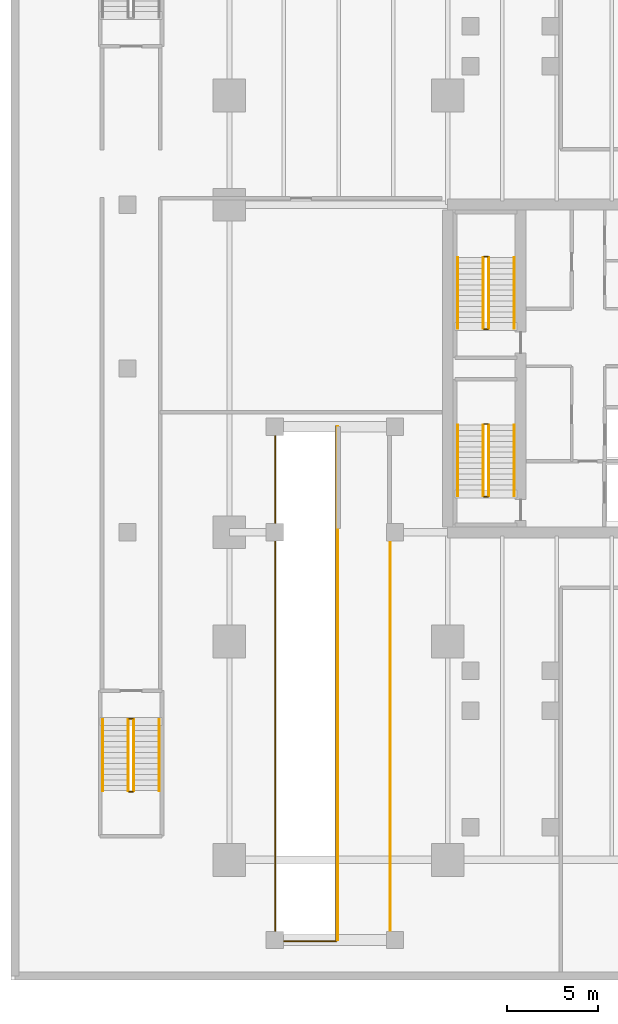
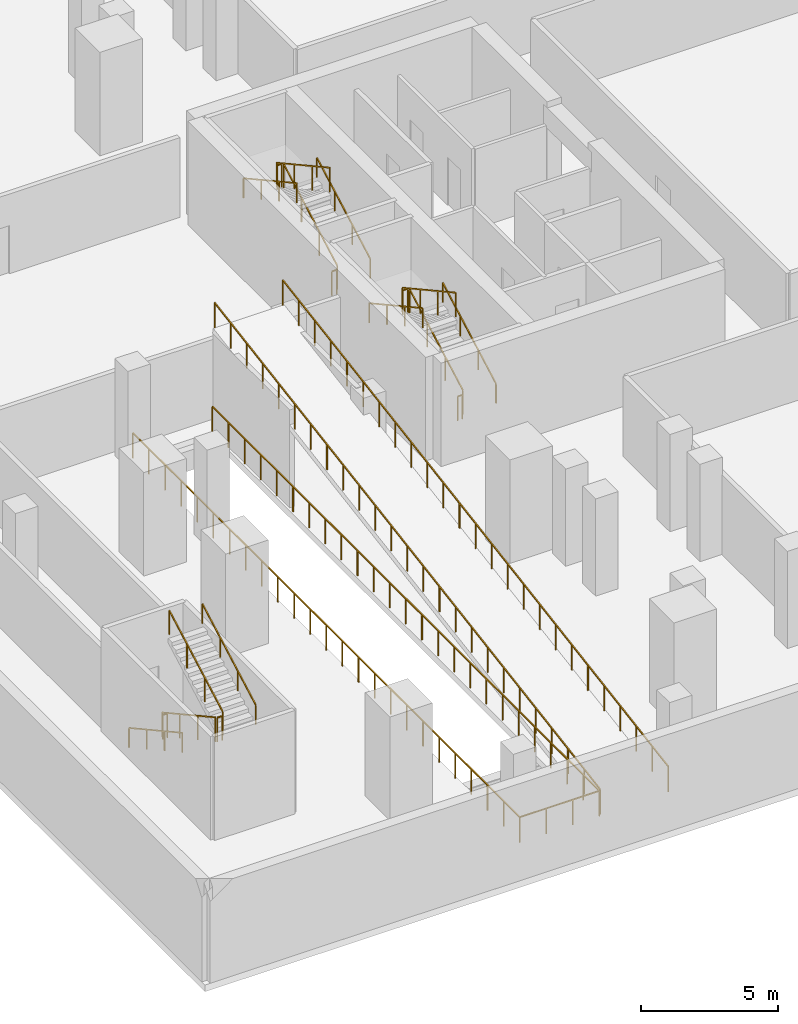
# One storey, part 10 of 13: 21 railings.
"""IFC4 building model written with IfcOpenShell, lengths in metres."""

from ifc_helpers import new_model, si_unit, direction, frame, origin, place, context, subcontext, project, spatial, rectangle, extrude, material, type_object, element, save


model = new_model("IFC4")

# Units and contexts
model_context = context("Model", 3, precision=1e-05, world=origin(), true_north=direction((0.0, 1.0)))
body_context = subcontext(model_context, "Body", "Model", "MODEL_VIEW")
ifc_project = project(units=[si_unit("LENGTHUNIT", "METRE"), si_unit("AREAUNIT", "SQUARE_METRE"), si_unit("VOLUMEUNIT", "CUBIC_METRE"), si_unit("PLANEANGLEUNIT", "RADIAN"), si_unit("MASSUNIT", "GRAM", prefix="KILO")], contexts=[model_context])

# Site, building, storey
site_placement = place(None, origin())
site = spatial("IfcSite", under=ifc_project, at=site_placement, CompositionType="ELEMENT")
building_placement = place(site_placement, origin())
building = spatial("IfcBuilding", under=site, at=building_placement, Name="Tanjung Sevakor Pilgrim Tower", CompositionType="ELEMENT")
storey_placement = place(building_placement, frame((0.0, 0.0, -4.6201171875)))
storey = spatial("IfcBuildingStorey", under=building, at=storey_placement, Name="B01", CompositionType="ELEMENT", Elevation=-4.6201171875)

# Railings
ifc_material_1 = material(Name="Steel S355J2", Category="steel")
railing_type_1 = type_object("IfcRailingType", Name="RL-STAIR-GUARD", PredefinedType="GUARDRAIL", material=ifc_material_1)
railing_1_placement = place(storey_placement, frame((26.25, 26.60009765625, 0.1650390625)))
element("IfcRailing", 1, at=railing_1_placement, inside=storey, type_object=railing_type_1, Name="B01 TS-W1 stair guard 1", PredefinedType="GUARDRAIL", context=body_context, shape_type="SweptSolid", body=[
    extrude(rectangle(XDim=0.0479, YDim=0.0479), frame((0.0, 0.0, 1.076171875), z_axis=(0.0, 0.876208959939, 0.481931383625), x_axis=(-1.0, 0.0, 0.0)), (0.0, 0.0, 1.0), 4.450927734375),
    extrude(rectangle(XDim=0.042, YDim=0.042), origin(), (0.0, 0.0, 1.0), 1.052001953125),
    extrude(rectangle(XDim=0.042, YDim=0.042), frame((0.0, 1.300048828125, 0.715087890625)), (0.0, 0.0, 1.0), 1.052001953125),
    extrude(rectangle(XDim=0.042, YDim=0.042), frame((0.0, 2.599853515625, 1.429931640625)), (0.0, 0.0, 1.0), 1.052001953125),
    extrude(rectangle(XDim=0.042, YDim=0.042), frame((0.0, 3.89990234375, 2.14501953125)), (0.0, 0.0, 1.0), 1.052001953125),
])
railing_2_placement = place(storey_placement, frame((26.199951171875, 30.550048828125, 2.31005859375)))
element("IfcRailing", 2, at=railing_2_placement, inside=storey, type_object=railing_type_1, Name="B01 TS-W1 stair guard 2", PredefinedType="GUARDRAIL", context=body_context, shape_type="SweptSolid", body=[
    extrude(rectangle(XDim=0.0479, YDim=0.0479), frame((0.0, 0.0, 1.076171875), z_axis=(-1.0, 0.0, 0.0), x_axis=(0.0, -1.0, 0.0)), (0.0, 0.0, 1.0), 0.199951171875),
    extrude(rectangle(XDim=0.042, YDim=0.042), origin(), (0.0, 0.0, 1.0), 1.052001953125),
    extrude(rectangle(XDim=0.042, YDim=0.042), frame((-0.199951171875, 0.0, 0.0)), (0.0, 0.0, 1.0), 1.052001953125),
])
railing_3_placement = place(storey_placement, frame((25.949951171875, 30.5, 2.47509765625)))
element("IfcRailing", 3, at=railing_3_placement, inside=storey, type_object=railing_type_1, Name="B01 TS-W1 stair guard 3", PredefinedType="GUARDRAIL", context=body_context, shape_type="SweptSolid", body=[
    extrude(rectangle(XDim=0.0479, YDim=0.0479), frame((0.0, 0.0, 1.076171875), z_axis=(0.0, -0.876208959939, 0.481931383625), x_axis=(1.0, 0.0, 0.0)), (0.0, 0.0, 1.0), 4.450927734375),
    extrude(rectangle(XDim=0.042, YDim=0.042), origin(), (0.0, 0.0, 1.0), 1.052001953125),
    extrude(rectangle(XDim=0.042, YDim=0.042), frame((0.0, -1.300048828125, 0.715087890625)), (0.0, 0.0, 1.0), 1.052001953125),
    extrude(rectangle(XDim=0.042, YDim=0.042), frame((0.0, -2.599853515625, 1.429931640625)), (0.0, 0.0, 1.0), 1.052001953125),
    extrude(rectangle(XDim=0.042, YDim=0.042), frame((0.0, -3.89990234375, 2.14501953125)), (0.0, 0.0, 1.0), 1.052001953125),
])
railing_4_placement = place(storey_placement, frame((26.199951171875, 26.550048828125, 0.0)))
element("IfcRailing", 4, at=railing_4_placement, inside=storey, type_object=railing_type_1, Name="B01 TS-W1 stair guard 4", PredefinedType="GUARDRAIL", context=body_context, shape_type="SweptSolid", body=[
    extrude(rectangle(XDim=0.0479, YDim=0.0479), frame((0.0, 0.0, 1.076171875), z_axis=(-1.0, 0.0, 0.0), x_axis=(0.0, -1.0, 0.0)), (0.0, 0.0, 1.0), 0.199951171875),
    extrude(rectangle(XDim=0.042, YDim=0.042), origin(), (0.0, 0.0, 1.0), 1.052001953125),
    extrude(rectangle(XDim=0.042, YDim=0.042), frame((-0.199951171875, 0.0, 0.0)), (0.0, 0.0, 1.0), 1.052001953125),
])
railing_5_placement = place(storey_placement, frame((26.25, 35.800048828125, 0.1650390625)))
element("IfcRailing", 5, at=railing_5_placement, inside=storey, type_object=railing_type_1, Name="B01 TS-W2 stair guard 1", PredefinedType="GUARDRAIL", context=body_context, shape_type="SweptSolid", body=[
    extrude(rectangle(XDim=0.0479, YDim=0.0479), frame((0.0, 0.0, 1.076171875), z_axis=(0.0, 0.876208959939, 0.481931383625), x_axis=(-1.0, 0.0, 0.0)), (0.0, 0.0, 1.0), 4.450927734375),
    extrude(rectangle(XDim=0.042, YDim=0.042), origin(), (0.0, 0.0, 1.0), 1.052001953125),
    extrude(rectangle(XDim=0.042, YDim=0.042), frame((0.0, 1.300048828125, 0.715087890625)), (0.0, 0.0, 1.0), 1.052001953125),
    extrude(rectangle(XDim=0.042, YDim=0.042), frame((0.0, 2.599853515625, 1.429931640625)), (0.0, 0.0, 1.0), 1.052001953125),
    extrude(rectangle(XDim=0.042, YDim=0.042), frame((0.0, 3.89990234375, 2.14501953125)), (0.0, 0.0, 1.0), 1.052001953125),
])
railing_6_placement = place(storey_placement, frame((26.199951171875, 39.75, 2.31005859375)))
element("IfcRailing", 6, at=railing_6_placement, inside=storey, type_object=railing_type_1, Name="B01 TS-W2 stair guard 2", PredefinedType="GUARDRAIL", context=body_context, shape_type="SweptSolid", body=[
    extrude(rectangle(XDim=0.0479, YDim=0.0479), frame((0.0, 0.0, 1.076171875), z_axis=(-1.0, 0.0, 0.0), x_axis=(0.0, -1.0, 0.0)), (0.0, 0.0, 1.0), 0.199951171875),
    extrude(rectangle(XDim=0.042, YDim=0.042), origin(), (0.0, 0.0, 1.0), 1.052001953125),
    extrude(rectangle(XDim=0.042, YDim=0.042), frame((-0.199951171875, 0.0, 0.0)), (0.0, 0.0, 1.0), 1.052001953125),
])
railing_7_placement = place(storey_placement, frame((25.949951171875, 39.699951171875, 2.47509765625)))
element("IfcRailing", 7, at=railing_7_placement, inside=storey, type_object=railing_type_1, Name="B01 TS-W2 stair guard 3", PredefinedType="GUARDRAIL", context=body_context, shape_type="SweptSolid", body=[
    extrude(rectangle(XDim=0.0479, YDim=0.0479), frame((0.0, 0.0, 1.076171875), z_axis=(0.0, -0.876208959939, 0.481931383625), x_axis=(1.0, 0.0, 0.0)), (0.0, 0.0, 1.0), 4.450927734375),
    extrude(rectangle(XDim=0.042, YDim=0.042), origin(), (0.0, 0.0, 1.0), 1.052001953125),
    extrude(rectangle(XDim=0.042, YDim=0.042), frame((0.0, -1.300048828125, 0.715087890625)), (0.0, 0.0, 1.0), 1.052001953125),
    extrude(rectangle(XDim=0.042, YDim=0.042), frame((0.0, -2.599853515625, 1.429931640625)), (0.0, 0.0, 1.0), 1.052001953125),
    extrude(rectangle(XDim=0.042, YDim=0.042), frame((0.0, -3.89990234375, 2.14501953125)), (0.0, 0.0, 1.0), 1.052001953125),
])
railing_8_placement = place(storey_placement, frame((26.199951171875, 35.75, 0.0)))
element("IfcRailing", 8, at=railing_8_placement, inside=storey, type_object=railing_type_1, Name="B01 TS-W2 stair guard 4", PredefinedType="GUARDRAIL", context=body_context, shape_type="SweptSolid", body=[
    extrude(rectangle(XDim=0.0479, YDim=0.0479), frame((0.0, 0.0, 1.076171875), z_axis=(-1.0, 0.0, 0.0), x_axis=(0.0, -1.0, 0.0)), (0.0, 0.0, 1.0), 0.199951171875),
    extrude(rectangle(XDim=0.042, YDim=0.042), origin(), (0.0, 0.0, 1.0), 1.052001953125),
    extrude(rectangle(XDim=0.042, YDim=0.042), frame((-0.199951171875, 0.0, 0.0)), (0.0, 0.0, 1.0), 1.052001953125),
])
railing_9_placement = place(storey_placement, frame((6.449951171875, 14.300048828125, 0.1650390625)))
element("IfcRailing", 9, at=railing_9_placement, inside=storey, type_object=railing_type_1, Name="B01 BS-1 stair guard 1", PredefinedType="GUARDRAIL", context=body_context, shape_type="SweptSolid", body=[
    extrude(rectangle(XDim=0.0479, YDim=0.0479), frame((0.0, 0.0, 1.076171875), z_axis=(0.0, -0.876221698874, 0.481908221991), x_axis=(1.0, 0.0, 0.0)), (0.0, 0.0, 1.0), 4.451171875),
    extrude(rectangle(XDim=0.042, YDim=0.042), origin(), (0.0, 0.0, 1.0), 1.052001953125),
    extrude(rectangle(XDim=0.042, YDim=0.042), frame((0.0, -1.300048828125, 0.715087890625)), (0.0, 0.0, 1.0), 1.052001953125),
    extrude(rectangle(XDim=0.042, YDim=0.042), frame((0.0, -2.60009765625, 1.429931640625)), (0.0, 0.0, 1.0), 1.052001953125),
    extrude(rectangle(XDim=0.042, YDim=0.042), frame((0.0, -3.900146484375, 2.14501953125)), (0.0, 0.0, 1.0), 1.052001953125),
])
railing_10_placement = place(storey_placement, frame((6.5, 10.35009765625, 2.31005859375)))
element("IfcRailing", 10, at=railing_10_placement, inside=storey, type_object=railing_type_1, Name="B01 BS-1 stair guard 2", PredefinedType="GUARDRAIL", context=body_context, shape_type="SweptSolid", body=[
    extrude(rectangle(XDim=0.0479, YDim=0.0479), frame((0.0, 0.0, 1.076171875), z_axis=(1.0, 0.0, 0.0), x_axis=(0.0, 1.0, 0.0)), (0.0, 0.0, 1.0), 0.199951171875),
    extrude(rectangle(XDim=0.042, YDim=0.042), origin(), (0.0, 0.0, 1.0), 1.052001953125),
    extrude(rectangle(XDim=0.042, YDim=0.042), frame((0.199951171875, 0.0, 0.0)), (0.0, 0.0, 1.0), 1.052001953125),
])
railing_11_placement = place(storey_placement, frame((6.75, 10.39990234375, 2.47509765625)))
element("IfcRailing", 11, at=railing_11_placement, inside=storey, type_object=railing_type_1, Name="B01 BS-1 stair guard 3", PredefinedType="GUARDRAIL", context=body_context, shape_type="SweptSolid", body=[
    extrude(rectangle(XDim=0.0479, YDim=0.0479), frame((0.0, 0.0, 1.076171875), z_axis=(0.0, 0.876221698874, 0.481908221991), x_axis=(-1.0, 0.0, 0.0)), (0.0, 0.0, 1.0), 4.451171875),
    extrude(rectangle(XDim=0.042, YDim=0.042), origin(), (0.0, 0.0, 1.0), 1.052001953125),
    extrude(rectangle(XDim=0.042, YDim=0.042), frame((0.0, 1.300048828125, 0.715087890625)), (0.0, 0.0, 1.0), 1.052001953125),
    extrude(rectangle(XDim=0.042, YDim=0.042), frame((0.0, 2.60009765625, 1.429931640625)), (0.0, 0.0, 1.0), 1.052001953125),
    extrude(rectangle(XDim=0.042, YDim=0.042), frame((0.0, 3.900146484375, 2.14501953125)), (0.0, 0.0, 1.0), 1.052001953125),
])
railing_12_placement = place(storey_placement, frame((6.5, 14.35009765625, 0.0)))
element("IfcRailing", 12, at=railing_12_placement, inside=storey, type_object=railing_type_1, Name="B01 BS-1 stair guard 4", PredefinedType="GUARDRAIL", context=body_context, shape_type="SweptSolid", body=[
    extrude(rectangle(XDim=0.0479, YDim=0.0479), frame((0.0, 0.0, 1.076171875), z_axis=(1.0, 0.0, 0.0), x_axis=(0.0, 1.0, 0.0)), (0.0, 0.0, 1.0), 0.199951171875),
    extrude(rectangle(XDim=0.042, YDim=0.042), origin(), (0.0, 0.0, 1.0), 1.052001953125),
    extrude(rectangle(XDim=0.042, YDim=0.042), frame((0.199951171875, 0.0, 0.0)), (0.0, 0.0, 1.0), 1.052001953125),
])
railing_13_placement = place(storey_placement, frame((14.52001953125, 30.419921875, 0.0)))
element("IfcRailing", 13, at=railing_13_placement, inside=storey, type_object=railing_type_1, Name="B01 Vehicle Ramp Opening Guardrail", PredefinedType="GUARDRAIL", context=body_context, shape_type="SweptSolid", body=[
    extrude(rectangle(XDim=0.0479, YDim=0.0479), frame((0.0, 0.0, 1.1259765625), z_axis=(0.0, -1.0, 0.0), x_axis=(1.0, 0.0, 0.0)), (0.0, 0.0, 1.0), 28.2998046875),
    extrude(rectangle(XDim=0.0479, YDim=0.0479), frame((0.0, -28.2998046875, 1.1259765625), z_axis=(1.0, 0.0, 0.0), x_axis=(0.0, 1.0, 0.0)), (0.0, 0.0, 1.0), 3.35986328125),
    extrude(rectangle(XDim=0.0479, YDim=0.0479), frame((3.35986328125, -28.2998046875, 1.1259765625), z_axis=(0.0, 1.0, 0.0), x_axis=(-1.0, 0.0, 0.0)), (0.0, 0.0, 1.0), 28.2998046875),
    extrude(rectangle(XDim=0.042, YDim=0.042), origin(), (0.0, 0.0, 1.0), 1.101806640625),
    extrude(rectangle(XDim=0.042, YDim=0.042), frame((0.0, -1.17919921875, 0.0)), (0.0, 0.0, 1.0), 1.101806640625),
    extrude(rectangle(XDim=0.042, YDim=0.042), frame((0.0, -2.3583984375, 0.0)), (0.0, 0.0, 1.0), 1.101806640625),
    extrude(rectangle(XDim=0.042, YDim=0.042), frame((0.0, -3.53759765625, 0.0)), (0.0, 0.0, 1.0), 1.101806640625),
    extrude(rectangle(XDim=0.042, YDim=0.042), frame((0.0, -4.716552734375, 0.0)), (0.0, 0.0, 1.0), 1.101806640625),
    extrude(rectangle(XDim=0.042, YDim=0.042), frame((0.0, -5.895751953125, 0.0)), (0.0, 0.0, 1.0), 1.101806640625),
    extrude(rectangle(XDim=0.042, YDim=0.042), frame((0.0, -7.074951171875, 0.0)), (0.0, 0.0, 1.0), 1.101806640625),
    extrude(rectangle(XDim=0.042, YDim=0.042), frame((0.0, -8.254150390625, 0.0)), (0.0, 0.0, 1.0), 1.101806640625),
    extrude(rectangle(XDim=0.042, YDim=0.042), frame((0.0, -9.433349609375, 0.0)), (0.0, 0.0, 1.0), 1.101806640625),
    extrude(rectangle(XDim=0.042, YDim=0.042), frame((0.0, -10.6123046875, 0.0)), (0.0, 0.0, 1.0), 1.101806640625),
    extrude(rectangle(XDim=0.042, YDim=0.042), frame((0.0, -11.79150390625, 0.0)), (0.0, 0.0, 1.0), 1.101806640625),
    extrude(rectangle(XDim=0.042, YDim=0.042), frame((0.0, -12.970703125, 0.0)), (0.0, 0.0, 1.0), 1.101806640625),
    extrude(rectangle(XDim=0.042, YDim=0.042), frame((0.0, -14.14990234375, 0.0)), (0.0, 0.0, 1.0), 1.101806640625),
    extrude(rectangle(XDim=0.042, YDim=0.042), frame((0.0, -15.3291015625, 0.0)), (0.0, 0.0, 1.0), 1.101806640625),
    extrude(rectangle(XDim=0.042, YDim=0.042), frame((0.0, -16.50830078125, 0.0)), (0.0, 0.0, 1.0), 1.101806640625),
    extrude(rectangle(XDim=0.042, YDim=0.042), frame((0.0, -17.6875, 0.0)), (0.0, 0.0, 1.0), 1.101806640625),
    extrude(rectangle(XDim=0.042, YDim=0.042), frame((0.0, -18.866455078125, 0.0)), (0.0, 0.0, 1.0), 1.101806640625),
    extrude(rectangle(XDim=0.042, YDim=0.042), frame((0.0, -20.045654296875, 0.0)), (0.0, 0.0, 1.0), 1.101806640625),
    extrude(rectangle(XDim=0.042, YDim=0.042), frame((0.0, -21.224853515625, 0.0)), (0.0, 0.0, 1.0), 1.101806640625),
    extrude(rectangle(XDim=0.042, YDim=0.042), frame((0.0, -22.404052734375, 0.0)), (0.0, 0.0, 1.0), 1.101806640625),
    extrude(rectangle(XDim=0.042, YDim=0.042), frame((0.0, -23.583251953125, 0.0)), (0.0, 0.0, 1.0), 1.101806640625),
    extrude(rectangle(XDim=0.042, YDim=0.042), frame((0.0, -24.76220703125, 0.0)), (0.0, 0.0, 1.0), 1.101806640625),
    extrude(rectangle(XDim=0.042, YDim=0.042), frame((0.0, -25.94140625, 0.0)), (0.0, 0.0, 1.0), 1.101806640625),
    extrude(rectangle(XDim=0.042, YDim=0.042), frame((0.0, -27.12060546875, 0.0)), (0.0, 0.0, 1.0), 1.101806640625),
    extrude(rectangle(XDim=0.042, YDim=0.042), frame((0.0, -28.2998046875, 0.0)), (0.0, 0.0, 1.0), 1.101806640625),
    extrude(rectangle(XDim=0.042, YDim=0.042), frame((1.119873046875, -28.2998046875, 0.0)), (0.0, 0.0, 1.0), 1.101806640625),
    extrude(rectangle(XDim=0.042, YDim=0.042), frame((2.239990234375, -28.2998046875, 0.0)), (0.0, 0.0, 1.0), 1.101806640625),
    extrude(rectangle(XDim=0.042, YDim=0.042), frame((3.35986328125, -28.2998046875, 0.0)), (0.0, 0.0, 1.0), 1.101806640625),
    extrude(rectangle(XDim=0.042, YDim=0.042), frame((3.35986328125, -27.12060546875, 0.0)), (0.0, 0.0, 1.0), 1.101806640625),
    extrude(rectangle(XDim=0.042, YDim=0.042), frame((3.35986328125, -25.94140625, 0.0)), (0.0, 0.0, 1.0), 1.101806640625),
    extrude(rectangle(XDim=0.042, YDim=0.042), frame((3.35986328125, -24.76220703125, 0.0)), (0.0, 0.0, 1.0), 1.101806640625),
    extrude(rectangle(XDim=0.042, YDim=0.042), frame((3.35986328125, -23.583251953125, 0.0)), (0.0, 0.0, 1.0), 1.101806640625),
    extrude(rectangle(XDim=0.042, YDim=0.042), frame((3.35986328125, -22.404052734375, 0.0)), (0.0, 0.0, 1.0), 1.101806640625),
    extrude(rectangle(XDim=0.042, YDim=0.042), frame((3.35986328125, -21.224853515625, 0.0)), (0.0, 0.0, 1.0), 1.101806640625),
    extrude(rectangle(XDim=0.042, YDim=0.042), frame((3.35986328125, -20.045654296875, 0.0)), (0.0, 0.0, 1.0), 1.101806640625),
    extrude(rectangle(XDim=0.042, YDim=0.042), frame((3.35986328125, -18.866455078125, 0.0)), (0.0, 0.0, 1.0), 1.101806640625),
    extrude(rectangle(XDim=0.042, YDim=0.042), frame((3.35986328125, -17.6875, 0.0)), (0.0, 0.0, 1.0), 1.101806640625),
    extrude(rectangle(XDim=0.042, YDim=0.042), frame((3.35986328125, -16.50830078125, 0.0)), (0.0, 0.0, 1.0), 1.101806640625),
    extrude(rectangle(XDim=0.042, YDim=0.042), frame((3.35986328125, -15.3291015625, 0.0)), (0.0, 0.0, 1.0), 1.101806640625),
    extrude(rectangle(XDim=0.042, YDim=0.042), frame((3.35986328125, -14.14990234375, 0.0)), (0.0, 0.0, 1.0), 1.101806640625),
    extrude(rectangle(XDim=0.042, YDim=0.042), frame((3.35986328125, -12.970703125, 0.0)), (0.0, 0.0, 1.0), 1.101806640625),
    extrude(rectangle(XDim=0.042, YDim=0.042), frame((3.35986328125, -11.79150390625, 0.0)), (0.0, 0.0, 1.0), 1.101806640625),
    extrude(rectangle(XDim=0.042, YDim=0.042), frame((3.35986328125, -10.6123046875, 0.0)), (0.0, 0.0, 1.0), 1.101806640625),
    extrude(rectangle(XDim=0.042, YDim=0.042), frame((3.35986328125, -9.433349609375, 0.0)), (0.0, 0.0, 1.0), 1.101806640625),
    extrude(rectangle(XDim=0.042, YDim=0.042), frame((3.35986328125, -8.254150390625, 0.0)), (0.0, 0.0, 1.0), 1.101806640625),
    extrude(rectangle(XDim=0.042, YDim=0.042), frame((3.35986328125, -7.074951171875, 0.0)), (0.0, 0.0, 1.0), 1.101806640625),
    extrude(rectangle(XDim=0.042, YDim=0.042), frame((3.35986328125, -5.895751953125, 0.0)), (0.0, 0.0, 1.0), 1.101806640625),
    extrude(rectangle(XDim=0.042, YDim=0.042), frame((3.35986328125, -4.716552734375, 0.0)), (0.0, 0.0, 1.0), 1.101806640625),
    extrude(rectangle(XDim=0.042, YDim=0.042), frame((3.35986328125, -3.53759765625, 0.0)), (0.0, 0.0, 1.0), 1.101806640625),
    extrude(rectangle(XDim=0.042, YDim=0.042), frame((3.35986328125, -2.3583984375, 0.0)), (0.0, 0.0, 1.0), 1.101806640625),
    extrude(rectangle(XDim=0.042, YDim=0.042), frame((3.35986328125, -1.17919921875, 0.0)), (0.0, 0.0, 1.0), 1.101806640625),
    extrude(rectangle(XDim=0.042, YDim=0.042), frame((3.35986328125, 0.0, 0.0)), (0.0, 0.0, 1.0), 1.101806640625),
])
railing_14_placement = place(storey_placement, frame((17.9599609375, 2.199951171875, 0.0)))
element("IfcRailing", 14, at=railing_14_placement, inside=storey, type_object=railing_type_1, Name="B01 Vehicle Ramp Side Guardrail W", PredefinedType="GUARDRAIL", context=body_context, shape_type="SweptSolid", body=[
    extrude(rectangle(XDim=0.0479, YDim=0.0479), frame((0.0, 0.0, 1.1259765625), z_axis=(0.0, 0.986843446245, 0.161678732689), x_axis=(-1.0, 0.0, 0.0)), (0.0, 0.0, 1.0), 28.575927734375),
    extrude(rectangle(XDim=0.042, YDim=0.042), origin(), (0.0, 0.0, 1.0), 1.101806640625),
    extrude(rectangle(XDim=0.042, YDim=0.042), frame((0.0, 1.175048828125, 0.1923828125)), (0.0, 0.0, 1.0), 1.101806640625),
    extrude(rectangle(XDim=0.042, YDim=0.042), frame((0.0, 2.35009765625, 0.385009765625)), (0.0, 0.0, 1.0), 1.101806640625),
    extrude(rectangle(XDim=0.042, YDim=0.042), frame((0.0, 3.52490234375, 0.57763671875)), (0.0, 0.0, 1.0), 1.101806640625),
    extrude(rectangle(XDim=0.042, YDim=0.042), frame((0.0, 4.699951171875, 0.77001953125)), (0.0, 0.0, 1.0), 1.101806640625),
    extrude(rectangle(XDim=0.042, YDim=0.042), frame((0.0, 5.875, 0.96240234375)), (0.0, 0.0, 1.0), 1.101806640625),
    extrude(rectangle(XDim=0.042, YDim=0.042), frame((0.0, 7.050048828125, 1.155029296875)), (0.0, 0.0, 1.0), 1.101806640625),
    extrude(rectangle(XDim=0.042, YDim=0.042), frame((0.0, 8.22509765625, 1.34765625)), (0.0, 0.0, 1.0), 1.101806640625),
    extrude(rectangle(XDim=0.042, YDim=0.042), frame((0.0, 9.39990234375, 1.5400390625)), (0.0, 0.0, 1.0), 1.101806640625),
    extrude(rectangle(XDim=0.042, YDim=0.042), frame((0.0, 10.574951171875, 1.732421875)), (0.0, 0.0, 1.0), 1.101806640625),
    extrude(rectangle(XDim=0.042, YDim=0.042), frame((0.0, 11.75, 1.925048828125)), (0.0, 0.0, 1.0), 1.101806640625),
    extrude(rectangle(XDim=0.042, YDim=0.042), frame((0.0, 12.925048828125, 2.11767578125)), (0.0, 0.0, 1.0), 1.101806640625),
    extrude(rectangle(XDim=0.042, YDim=0.042), frame((0.0, 14.10009765625, 2.31005859375)), (0.0, 0.0, 1.0), 1.101806640625),
    extrude(rectangle(XDim=0.042, YDim=0.042), frame((0.0, 15.27490234375, 2.50244140625)), (0.0, 0.0, 1.0), 1.101806640625),
    extrude(rectangle(XDim=0.042, YDim=0.042), frame((0.0, 16.449951171875, 2.695068359375)), (0.0, 0.0, 1.0), 1.101806640625),
    extrude(rectangle(XDim=0.042, YDim=0.042), frame((0.0, 17.625, 2.8876953125)), (0.0, 0.0, 1.0), 1.101806640625),
    extrude(rectangle(XDim=0.042, YDim=0.042), frame((0.0, 18.800048828125, 3.080078125)), (0.0, 0.0, 1.0), 1.101806640625),
    extrude(rectangle(XDim=0.042, YDim=0.042), frame((0.0, 19.974853515625, 3.2724609375)), (0.0, 0.0, 1.0), 1.101806640625),
    extrude(rectangle(XDim=0.042, YDim=0.042), frame((0.0, 21.14990234375, 3.465087890625)), (0.0, 0.0, 1.0), 1.101806640625),
    extrude(rectangle(XDim=0.042, YDim=0.042), frame((0.0, 22.324951171875, 3.65771484375)), (0.0, 0.0, 1.0), 1.101806640625),
    extrude(rectangle(XDim=0.042, YDim=0.042), frame((0.0, 23.5, 3.85009765625)), (0.0, 0.0, 1.0), 1.101806640625),
    extrude(rectangle(XDim=0.042, YDim=0.042), frame((0.0, 24.675048828125, 4.04248046875)), (0.0, 0.0, 1.0), 1.101806640625),
    extrude(rectangle(XDim=0.042, YDim=0.042), frame((0.0, 25.849853515625, 4.235107421875)), (0.0, 0.0, 1.0), 1.101806640625),
    extrude(rectangle(XDim=0.042, YDim=0.042), frame((0.0, 27.02490234375, 4.427734375)), (0.0, 0.0, 1.0), 1.101806640625),
    extrude(rectangle(XDim=0.042, YDim=0.042), frame((0.0, 28.199951171875, 4.6201171875)), (0.0, 0.0, 1.0), 1.101806640625),
])
railing_15_placement = place(storey_placement, frame((20.840087890625, 2.199951171875, 0.0)))
element("IfcRailing", 15, at=railing_15_placement, inside=storey, type_object=railing_type_1, Name="B01 Vehicle Ramp Side Guardrail E", PredefinedType="GUARDRAIL", context=body_context, shape_type="SweptSolid", body=[
    extrude(rectangle(XDim=0.0479, YDim=0.0479), frame((0.0, 0.0, 1.1259765625), z_axis=(0.0, 0.986843446245, 0.161678732689), x_axis=(-1.0, 0.0, 0.0)), (0.0, 0.0, 1.0), 28.575927734375),
    extrude(rectangle(XDim=0.042, YDim=0.042), origin(), (0.0, 0.0, 1.0), 1.101806640625),
    extrude(rectangle(XDim=0.042, YDim=0.042), frame((0.0, 1.175048828125, 0.1923828125)), (0.0, 0.0, 1.0), 1.101806640625),
    extrude(rectangle(XDim=0.042, YDim=0.042), frame((0.0, 2.35009765625, 0.385009765625)), (0.0, 0.0, 1.0), 1.101806640625),
    extrude(rectangle(XDim=0.042, YDim=0.042), frame((0.0, 3.52490234375, 0.57763671875)), (0.0, 0.0, 1.0), 1.101806640625),
    extrude(rectangle(XDim=0.042, YDim=0.042), frame((0.0, 4.699951171875, 0.77001953125)), (0.0, 0.0, 1.0), 1.101806640625),
    extrude(rectangle(XDim=0.042, YDim=0.042), frame((0.0, 5.875, 0.96240234375)), (0.0, 0.0, 1.0), 1.101806640625),
    extrude(rectangle(XDim=0.042, YDim=0.042), frame((0.0, 7.050048828125, 1.155029296875)), (0.0, 0.0, 1.0), 1.101806640625),
    extrude(rectangle(XDim=0.042, YDim=0.042), frame((0.0, 8.22509765625, 1.34765625)), (0.0, 0.0, 1.0), 1.101806640625),
    extrude(rectangle(XDim=0.042, YDim=0.042), frame((0.0, 9.39990234375, 1.5400390625)), (0.0, 0.0, 1.0), 1.101806640625),
    extrude(rectangle(XDim=0.042, YDim=0.042), frame((0.0, 10.574951171875, 1.732421875)), (0.0, 0.0, 1.0), 1.101806640625),
    extrude(rectangle(XDim=0.042, YDim=0.042), frame((0.0, 11.75, 1.925048828125)), (0.0, 0.0, 1.0), 1.101806640625),
    extrude(rectangle(XDim=0.042, YDim=0.042), frame((0.0, 12.925048828125, 2.11767578125)), (0.0, 0.0, 1.0), 1.101806640625),
    extrude(rectangle(XDim=0.042, YDim=0.042), frame((0.0, 14.10009765625, 2.31005859375)), (0.0, 0.0, 1.0), 1.101806640625),
    extrude(rectangle(XDim=0.042, YDim=0.042), frame((0.0, 15.27490234375, 2.50244140625)), (0.0, 0.0, 1.0), 1.101806640625),
    extrude(rectangle(XDim=0.042, YDim=0.042), frame((0.0, 16.449951171875, 2.695068359375)), (0.0, 0.0, 1.0), 1.101806640625),
    extrude(rectangle(XDim=0.042, YDim=0.042), frame((0.0, 17.625, 2.8876953125)), (0.0, 0.0, 1.0), 1.101806640625),
    extrude(rectangle(XDim=0.042, YDim=0.042), frame((0.0, 18.800048828125, 3.080078125)), (0.0, 0.0, 1.0), 1.101806640625),
    extrude(rectangle(XDim=0.042, YDim=0.042), frame((0.0, 19.974853515625, 3.2724609375)), (0.0, 0.0, 1.0), 1.101806640625),
    extrude(rectangle(XDim=0.042, YDim=0.042), frame((0.0, 21.14990234375, 3.465087890625)), (0.0, 0.0, 1.0), 1.101806640625),
    extrude(rectangle(XDim=0.042, YDim=0.042), frame((0.0, 22.324951171875, 3.65771484375)), (0.0, 0.0, 1.0), 1.101806640625),
    extrude(rectangle(XDim=0.042, YDim=0.042), frame((0.0, 23.5, 3.85009765625)), (0.0, 0.0, 1.0), 1.101806640625),
    extrude(rectangle(XDim=0.042, YDim=0.042), frame((0.0, 24.675048828125, 4.04248046875)), (0.0, 0.0, 1.0), 1.101806640625),
    extrude(rectangle(XDim=0.042, YDim=0.042), frame((0.0, 25.849853515625, 4.235107421875)), (0.0, 0.0, 1.0), 1.101806640625),
    extrude(rectangle(XDim=0.042, YDim=0.042), frame((0.0, 27.02490234375, 4.427734375)), (0.0, 0.0, 1.0), 1.101806640625),
    extrude(rectangle(XDim=0.042, YDim=0.042), frame((0.0, 28.199951171875, 4.6201171875)), (0.0, 0.0, 1.0), 1.101806640625),
])
ifc_material_2 = material(Name="Steel S355J2", Category="steel")
railing_type_2 = type_object("IfcRailingType", Name="RL-STAIR-HAND", PredefinedType="HANDRAIL", material=ifc_material_2)
railing_16_placement = place(storey_placement, frame((27.64990234375, 26.60009765625, 0.1650390625)))
element("IfcRailing", 16, at=railing_16_placement, inside=storey, type_object=railing_type_2, Name="B01 TS-W1 stair handrail 1", PredefinedType="HANDRAIL", context=body_context, shape_type="SweptSolid", body=[
    extrude(rectangle(XDim=0.0479, YDim=0.0479), frame((0.0, 0.0, 0.8759765625), z_axis=(0.0, 0.876208959939, 0.481931383625), x_axis=(-1.0, 0.0, 0.0)), (0.0, 0.0, 1.0), 4.450927734375),
    extrude(rectangle(XDim=0.042, YDim=0.042), origin(), (0.0, 0.0, 1.0), 0.851806640625),
    extrude(rectangle(XDim=0.042, YDim=0.042), frame((0.0, 1.300048828125, 0.715087890625)), (0.0, 0.0, 1.0), 0.851806640625),
    extrude(rectangle(XDim=0.042, YDim=0.042), frame((0.0, 2.599853515625, 1.429931640625)), (0.0, 0.0, 1.0), 0.851806640625),
    extrude(rectangle(XDim=0.042, YDim=0.042), frame((0.0, 3.89990234375, 2.14501953125)), (0.0, 0.0, 1.0), 0.851806640625),
])
railing_17_placement = place(storey_placement, frame((24.550048828125, 30.5, 2.47509765625)))
element("IfcRailing", 17, at=railing_17_placement, inside=storey, type_object=railing_type_2, Name="B01 TS-W1 stair handrail 2", PredefinedType="HANDRAIL", context=body_context, shape_type="SweptSolid", body=[
    extrude(rectangle(XDim=0.0479, YDim=0.0479), frame((0.0, 0.0, 0.8759765625), z_axis=(0.0, -0.876208959939, 0.481931383625), x_axis=(1.0, 0.0, 0.0)), (0.0, 0.0, 1.0), 4.450927734375),
    extrude(rectangle(XDim=0.042, YDim=0.042), origin(), (0.0, 0.0, 1.0), 0.851806640625),
    extrude(rectangle(XDim=0.042, YDim=0.042), frame((0.0, -1.300048828125, 0.715087890625)), (0.0, 0.0, 1.0), 0.851806640625),
    extrude(rectangle(XDim=0.042, YDim=0.042), frame((0.0, -2.599853515625, 1.429931640625)), (0.0, 0.0, 1.0), 0.851806640625),
    extrude(rectangle(XDim=0.042, YDim=0.042), frame((0.0, -3.89990234375, 2.14501953125)), (0.0, 0.0, 1.0), 0.851806640625),
])
railing_18_placement = place(storey_placement, frame((27.64990234375, 35.800048828125, 0.1650390625)))
element("IfcRailing", 18, at=railing_18_placement, inside=storey, type_object=railing_type_2, Name="B01 TS-W2 stair handrail 1", PredefinedType="HANDRAIL", context=body_context, shape_type="SweptSolid", body=[
    extrude(rectangle(XDim=0.0479, YDim=0.0479), frame((0.0, 0.0, 0.8759765625), z_axis=(0.0, 0.876208959939, 0.481931383625), x_axis=(-1.0, 0.0, 0.0)), (0.0, 0.0, 1.0), 4.450927734375),
    extrude(rectangle(XDim=0.042, YDim=0.042), origin(), (0.0, 0.0, 1.0), 0.851806640625),
    extrude(rectangle(XDim=0.042, YDim=0.042), frame((0.0, 1.300048828125, 0.715087890625)), (0.0, 0.0, 1.0), 0.851806640625),
    extrude(rectangle(XDim=0.042, YDim=0.042), frame((0.0, 2.599853515625, 1.429931640625)), (0.0, 0.0, 1.0), 0.851806640625),
    extrude(rectangle(XDim=0.042, YDim=0.042), frame((0.0, 3.89990234375, 2.14501953125)), (0.0, 0.0, 1.0), 0.851806640625),
])
railing_19_placement = place(storey_placement, frame((24.550048828125, 39.699951171875, 2.47509765625)))
element("IfcRailing", 19, at=railing_19_placement, inside=storey, type_object=railing_type_2, Name="B01 TS-W2 stair handrail 2", PredefinedType="HANDRAIL", context=body_context, shape_type="SweptSolid", body=[
    extrude(rectangle(XDim=0.0479, YDim=0.0479), frame((0.0, 0.0, 0.8759765625), z_axis=(0.0, -0.876208959939, 0.481931383625), x_axis=(1.0, 0.0, 0.0)), (0.0, 0.0, 1.0), 4.450927734375),
    extrude(rectangle(XDim=0.042, YDim=0.042), origin(), (0.0, 0.0, 1.0), 0.851806640625),
    extrude(rectangle(XDim=0.042, YDim=0.042), frame((0.0, -1.300048828125, 0.715087890625)), (0.0, 0.0, 1.0), 0.851806640625),
    extrude(rectangle(XDim=0.042, YDim=0.042), frame((0.0, -2.599853515625, 1.429931640625)), (0.0, 0.0, 1.0), 0.851806640625),
    extrude(rectangle(XDim=0.042, YDim=0.042), frame((0.0, -3.89990234375, 2.14501953125)), (0.0, 0.0, 1.0), 0.851806640625),
])
railing_20_placement = place(storey_placement, frame((5.050048828125, 14.300048828125, 0.1650390625)))
element("IfcRailing", 20, at=railing_20_placement, inside=storey, type_object=railing_type_2, Name="B01 BS-1 stair handrail 1", PredefinedType="HANDRAIL", context=body_context, shape_type="SweptSolid", body=[
    extrude(rectangle(XDim=0.0479, YDim=0.0479), frame((0.0, 0.0, 0.8759765625), z_axis=(0.0, -0.876221698874, 0.481908221991), x_axis=(1.0, 0.0, 0.0)), (0.0, 0.0, 1.0), 4.451171875),
    extrude(rectangle(XDim=0.042, YDim=0.042), origin(), (0.0, 0.0, 1.0), 0.851806640625),
    extrude(rectangle(XDim=0.042, YDim=0.042), frame((0.0, -1.300048828125, 0.715087890625)), (0.0, 0.0, 1.0), 0.851806640625),
    extrude(rectangle(XDim=0.042, YDim=0.042), frame((0.0, -2.60009765625, 1.429931640625)), (0.0, 0.0, 1.0), 0.851806640625),
    extrude(rectangle(XDim=0.042, YDim=0.042), frame((0.0, -3.900146484375, 2.14501953125)), (0.0, 0.0, 1.0), 0.851806640625),
])
railing_21_placement = place(storey_placement, frame((8.14990234375, 10.39990234375, 2.47509765625)))
element("IfcRailing", 21, at=railing_21_placement, inside=storey, type_object=railing_type_2, Name="B01 BS-1 stair handrail 2", PredefinedType="HANDRAIL", context=body_context, shape_type="SweptSolid", body=[
    extrude(rectangle(XDim=0.0479, YDim=0.0479), frame((0.0, 0.0, 0.8759765625), z_axis=(0.0, 0.876221698874, 0.481908221991), x_axis=(-1.0, 0.0, 0.0)), (0.0, 0.0, 1.0), 4.451171875),
    extrude(rectangle(XDim=0.042, YDim=0.042), origin(), (0.0, 0.0, 1.0), 0.851806640625),
    extrude(rectangle(XDim=0.042, YDim=0.042), frame((0.0, 1.300048828125, 0.715087890625)), (0.0, 0.0, 1.0), 0.851806640625),
    extrude(rectangle(XDim=0.042, YDim=0.042), frame((0.0, 2.60009765625, 1.429931640625)), (0.0, 0.0, 1.0), 0.851806640625),
    extrude(rectangle(XDim=0.042, YDim=0.042), frame((0.0, 3.900146484375, 2.14501953125)), (0.0, 0.0, 1.0), 0.851806640625),
])

save(model, "model.ifc")
